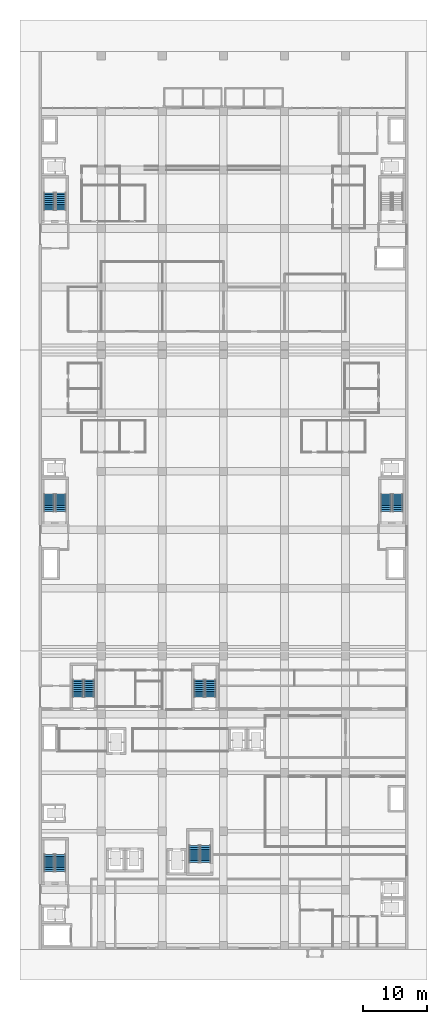
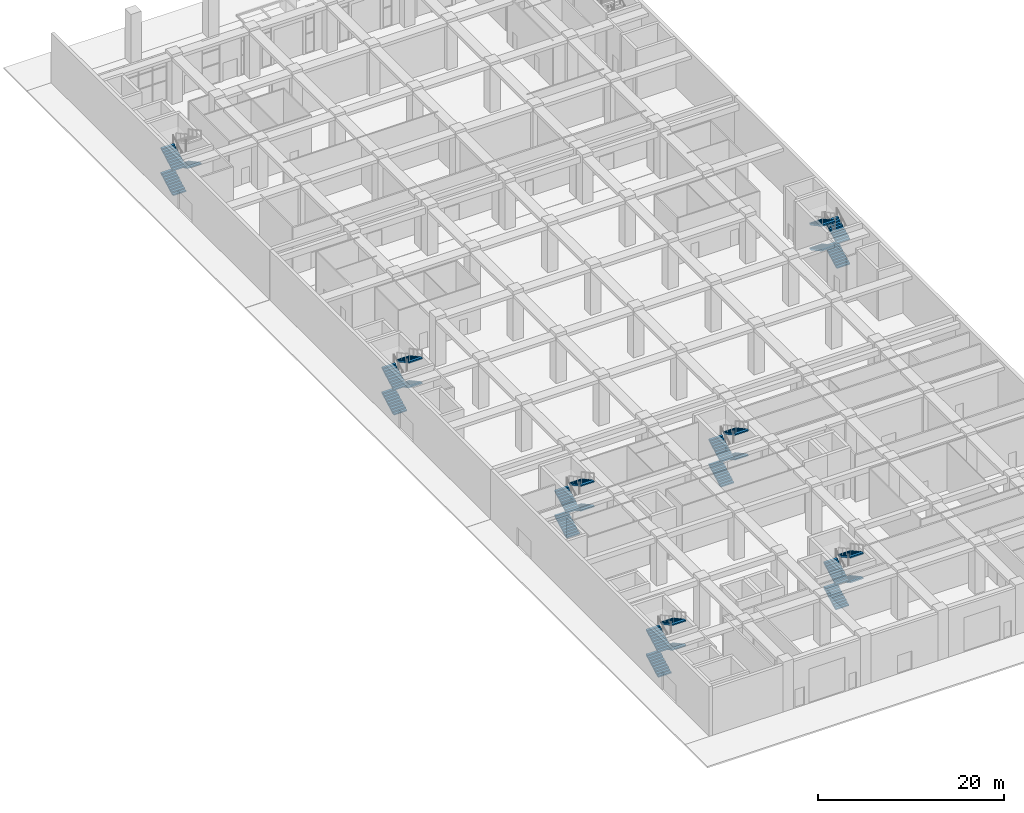
# One storey, part 24 of 45: 27 stair flights, 7 elements without a shape of their own.
"""IFC4 building model written with IfcOpenShell, lengths in metres."""

from ifc_helpers import new_model, si_unit, direction, frame, origin, place, context, subcontext, project, spatial, polyline, outline, extrude, material, type_object, element, aggregate, save


model = new_model("IFC4")

# Units and contexts
model_context = context("Model", 3, precision=1e-05, world=origin(), true_north=direction((0.0, 1.0)))
body_context = subcontext(model_context, "Body", "Model", "MODEL_VIEW")
ifc_project = project(units=[si_unit("LENGTHUNIT", "METRE"), si_unit("AREAUNIT", "SQUARE_METRE"), si_unit("VOLUMEUNIT", "CUBIC_METRE"), si_unit("PLANEANGLEUNIT", "RADIAN"), si_unit("MASSUNIT", "GRAM", prefix="KILO")], contexts=[model_context])

# Site, building, storey
site_placement = place(None, origin())
site = spatial("IfcSite", under=ifc_project, at=site_placement, CompositionType="ELEMENT")
building_placement = place(site_placement, origin())
building = spatial("IfcBuilding", under=site, at=building_placement, Name="Nzadi Deep Aquarium and Research Tower", CompositionType="ELEMENT")
storey_placement = place(building_placement, origin())
storey = spatial("IfcBuildingStorey", under=building, at=storey_placement, Name="G", CompositionType="ELEMENT", Elevation=0.0)

# Stair, stair flights
ifc_material_1 = material(Name="Concrete C35/45", Category="concrete")
stair_type = type_object("IfcStairType", Name="STAIR RETURN 3000", PredefinedType="NOTDEFINED", material=ifc_material_1)
stair_1_placement = place(storey_placement, origin())
stair_1 = element("IfcStair", 1, at=stair_1_placement, inside=storey, type_object=stair_type, Name="Stair ST-Z1-SW G", PredefinedType="DOUBLE_RETURN_STAIR")
ifc_material_2 = material(Name="Concrete C35/45", Category="concrete")
stair_flight_type = type_object("IfcStairFlightType", Name="FLIGHT 1625 10 RISERS 162.5", PredefinedType="STRAIGHT", material=ifc_material_2)
stair_flight_1_placement = place(storey_placement, frame((1.41259765625, 12.070068359375, 0.0), z_axis=(0.0, 0.0, 1.0), x_axis=(0.0, 1.0, 0.0)))
stair_flight_1 = element("IfcStairFlight", 2, at=stair_flight_1_placement, type_object=stair_flight_type, Name="ST-Z1-SW flight 1", NumberOfRisers=10, NumberOfTreads=9, PredefinedType="STRAIGHT", RiserHeight=0.1625, TreadLength=0.3, context=body_context, shape_type="SweptSolid", body=[
    extrude(outline(polyline([(0.0, 0.0), (0.0, 0.16259765625), (0.300048828125, 0.16259765625), (0.300048828125, 0.324951171875), (0.60009765625, 0.324951171875), (0.60009765625, 0.487548828125), (0.89990234375, 0.487548828125), (0.89990234375, 0.64990234375), (1.199951171875, 0.64990234375), (1.199951171875, 0.8125), (1.5, 0.8125), (1.5, 0.97509765625), (1.800048828125, 0.97509765625), (1.800048828125, 1.137451171875), (2.10009765625, 1.137451171875), (2.10009765625, 1.300048828125), (2.39990234375, 1.300048828125), (2.39990234375, 1.46240234375), (2.699951171875, 1.46240234375), (2.699951171875, 1.625), (2.699951171875, 1.2919921875), (0.314697265625, 0.0), (0.0, 0.0)])), frame((0.0, 0.8125, 0.0), z_axis=(0.0, -1.0, 0.0), x_axis=(1.0, 0.0, 0.0)), (0.0, 0.0, 1.0), 1.625),
])
stair_flight_2_placement = place(storey_placement, frame((3.1875, 14.77001953125, 1.625), z_axis=(0.0, 0.0, 1.0), x_axis=(0.0, -1.0, 0.0)))
stair_flight_2 = element("IfcStairFlight", 3, at=stair_flight_2_placement, type_object=stair_flight_type, Name="ST-Z1-SW flight 2", NumberOfRisers=10, NumberOfTreads=9, PredefinedType="STRAIGHT", RiserHeight=0.1625, TreadLength=0.3, context=body_context, shape_type="SweptSolid", body=[
    extrude(outline(polyline([(0.0, 0.0), (0.0, 0.16259765625), (0.300048828125, 0.16259765625), (0.300048828125, 0.324951171875), (0.60009765625, 0.324951171875), (0.60009765625, 0.487548828125), (0.89990234375, 0.487548828125), (0.89990234375, 0.64990234375), (1.199951171875, 0.64990234375), (1.199951171875, 0.8125), (1.5, 0.8125), (1.5, 0.97509765625), (1.800048828125, 0.97509765625), (1.800048828125, 1.137451171875), (2.10009765625, 1.137451171875), (2.10009765625, 1.300048828125), (2.39990234375, 1.300048828125), (2.39990234375, 1.46240234375), (2.699951171875, 1.46240234375), (2.699951171875, 1.625), (2.699951171875, 1.2919921875), (0.314697265625, 0.0), (0.0, 0.0)])), frame((0.0, 0.8125, 0.0), z_axis=(0.0, -1.0, 0.0), x_axis=(1.0, 0.0, 0.0)), (0.0, 0.0, 1.0), 1.625),
])
stair_flight_3_placement = place(storey_placement, frame((1.41259765625, 12.070068359375, 3.25), z_axis=(0.0, 0.0, 1.0), x_axis=(0.0, 1.0, 0.0)))
stair_flight_3 = element("IfcStairFlight", 4, at=stair_flight_3_placement, type_object=stair_flight_type, Name="ST-Z1-SW flight 3", NumberOfRisers=10, NumberOfTreads=9, PredefinedType="STRAIGHT", RiserHeight=0.1625, TreadLength=0.3, context=body_context, shape_type="SweptSolid", body=[
    extrude(outline(polyline([(0.0, 0.0), (0.0, 0.16259765625), (0.300048828125, 0.16259765625), (0.300048828125, 0.324951171875), (0.60009765625, 0.324951171875), (0.60009765625, 0.487548828125), (0.89990234375, 0.487548828125), (0.89990234375, 0.64990234375), (1.199951171875, 0.64990234375), (1.199951171875, 0.8125), (1.5, 0.8125), (1.5, 0.97509765625), (1.800048828125, 0.97509765625), (1.800048828125, 1.137451171875), (2.10009765625, 1.137451171875), (2.10009765625, 1.300048828125), (2.39990234375, 1.300048828125), (2.39990234375, 1.46240234375), (2.699951171875, 1.46240234375), (2.699951171875, 1.625), (2.699951171875, 1.2919921875), (0.314697265625, 0.0), (0.0, 0.0)])), frame((0.0, 0.8125, 0.0), z_axis=(0.0, -1.0, 0.0), x_axis=(1.0, 0.0, 0.0)), (0.0, 0.0, 1.0), 1.625),
])
stair_flight_4_placement = place(storey_placement, frame((3.1875, 14.77001953125, 4.875), z_axis=(0.0, 0.0, 1.0), x_axis=(0.0, -1.0, 0.0)))
stair_flight_4 = element("IfcStairFlight", 5, at=stair_flight_4_placement, type_object=stair_flight_type, Name="ST-Z1-SW flight 4", NumberOfRisers=10, NumberOfTreads=9, PredefinedType="STRAIGHT", RiserHeight=0.1625, TreadLength=0.3, context=body_context, shape_type="SweptSolid", body=[
    extrude(outline(polyline([(0.0, 0.0), (0.0, 0.16259765625), (0.300048828125, 0.16259765625), (0.300048828125, 0.324951171875), (0.60009765625, 0.324951171875), (0.60009765625, 0.487548828125), (0.89990234375, 0.487548828125), (0.89990234375, 0.64990234375), (1.199951171875, 0.64990234375), (1.199951171875, 0.8125), (1.5, 0.8125), (1.5, 0.97509765625), (1.800048828125, 0.97509765625), (1.800048828125, 1.137451171875), (2.10009765625, 1.137451171875), (2.10009765625, 1.300048828125), (2.39990234375, 1.300048828125), (2.39990234375, 1.46240234375), (2.699951171875, 1.46240234375), (2.699951171875, 1.625), (2.699951171875, 1.2919921875), (0.314697265625, 0.0), (0.0, 0.0)])), frame((0.0, 0.8125, 0.0), z_axis=(0.0, -1.0, 0.0), x_axis=(1.0, 0.0, 0.0)), (0.0, 0.0, 1.0), 1.625),
])
aggregate(stair_1, [stair_flight_1, stair_flight_2, stair_flight_3, stair_flight_4])

stair_2_placement = place(storey_placement, origin())
stair_2 = element("IfcStair", 6, at=stair_2_placement, inside=storey, type_object=stair_type, Name="Stair ST-Z1-SE G", PredefinedType="DOUBLE_RETURN_STAIR")
stair_flight_5_placement = place(storey_placement, frame((24.21240234375, 13.469970703125, 0.0), z_axis=(0.0, 0.0, 1.0), x_axis=(0.0, 1.0, 0.0)))
stair_flight_5 = element("IfcStairFlight", 7, at=stair_flight_5_placement, type_object=stair_flight_type, Name="ST-Z1-SE flight 1", NumberOfRisers=10, NumberOfTreads=9, PredefinedType="STRAIGHT", RiserHeight=0.1625, TreadLength=0.3, context=body_context, shape_type="SweptSolid", body=[
    extrude(outline(polyline([(0.0, 0.0), (0.0, 0.16259765625), (0.300048828125, 0.16259765625), (0.300048828125, 0.324951171875), (0.60009765625, 0.324951171875), (0.60009765625, 0.487548828125), (0.89990234375, 0.487548828125), (0.89990234375, 0.64990234375), (1.199951171875, 0.64990234375), (1.199951171875, 0.8125), (1.5, 0.8125), (1.5, 0.97509765625), (1.800048828125, 0.97509765625), (1.800048828125, 1.137451171875), (2.10009765625, 1.137451171875), (2.10009765625, 1.300048828125), (2.39990234375, 1.300048828125), (2.39990234375, 1.46240234375), (2.699951171875, 1.46240234375), (2.699951171875, 1.625), (2.699951171875, 1.2919921875), (0.314697265625, 0.0), (0.0, 0.0)])), frame((0.0, 0.8125, 0.0), z_axis=(0.0, -1.0, 0.0), x_axis=(1.0, 0.0, 0.0)), (0.0, 0.0, 1.0), 1.625),
])
stair_flight_6_placement = place(storey_placement, frame((25.987548828125, 16.169921875, 1.625), z_axis=(0.0, 0.0, 1.0), x_axis=(0.0, -1.0, 0.0)))
stair_flight_6 = element("IfcStairFlight", 8, at=stair_flight_6_placement, type_object=stair_flight_type, Name="ST-Z1-SE flight 2", NumberOfRisers=10, NumberOfTreads=9, PredefinedType="STRAIGHT", RiserHeight=0.1625, TreadLength=0.3, context=body_context, shape_type="SweptSolid", body=[
    extrude(outline(polyline([(0.0, 0.0), (0.0, 0.16259765625), (0.300048828125, 0.16259765625), (0.300048828125, 0.324951171875), (0.60009765625, 0.324951171875), (0.60009765625, 0.487548828125), (0.89990234375, 0.487548828125), (0.89990234375, 0.64990234375), (1.199951171875, 0.64990234375), (1.199951171875, 0.8125), (1.5, 0.8125), (1.5, 0.97509765625), (1.800048828125, 0.97509765625), (1.800048828125, 1.137451171875), (2.10009765625, 1.137451171875), (2.10009765625, 1.300048828125), (2.39990234375, 1.300048828125), (2.39990234375, 1.46240234375), (2.699951171875, 1.46240234375), (2.699951171875, 1.625), (2.699951171875, 1.2919921875), (0.314697265625, 0.0), (0.0, 0.0)])), frame((0.0, 0.8125, 0.0), z_axis=(0.0, -1.0, 0.0), x_axis=(1.0, 0.0, 0.0)), (0.0, 0.0, 1.0), 1.625),
])
stair_flight_7_placement = place(storey_placement, frame((24.21240234375, 13.469970703125, 3.25), z_axis=(0.0, 0.0, 1.0), x_axis=(0.0, 1.0, 0.0)))
stair_flight_7 = element("IfcStairFlight", 9, at=stair_flight_7_placement, type_object=stair_flight_type, Name="ST-Z1-SE flight 3", NumberOfRisers=10, NumberOfTreads=9, PredefinedType="STRAIGHT", RiserHeight=0.1625, TreadLength=0.3, context=body_context, shape_type="SweptSolid", body=[
    extrude(outline(polyline([(0.0, 0.0), (0.0, 0.16259765625), (0.300048828125, 0.16259765625), (0.300048828125, 0.324951171875), (0.60009765625, 0.324951171875), (0.60009765625, 0.487548828125), (0.89990234375, 0.487548828125), (0.89990234375, 0.64990234375), (1.199951171875, 0.64990234375), (1.199951171875, 0.8125), (1.5, 0.8125), (1.5, 0.97509765625), (1.800048828125, 0.97509765625), (1.800048828125, 1.137451171875), (2.10009765625, 1.137451171875), (2.10009765625, 1.300048828125), (2.39990234375, 1.300048828125), (2.39990234375, 1.46240234375), (2.699951171875, 1.46240234375), (2.699951171875, 1.625), (2.699951171875, 1.2919921875), (0.314697265625, 0.0), (0.0, 0.0)])), frame((0.0, 0.8125, 0.0), z_axis=(0.0, -1.0, 0.0), x_axis=(1.0, 0.0, 0.0)), (0.0, 0.0, 1.0), 1.625),
])
stair_flight_8_placement = place(storey_placement, frame((25.987548828125, 16.169921875, 4.875), z_axis=(0.0, 0.0, 1.0), x_axis=(0.0, -1.0, 0.0)))
stair_flight_8 = element("IfcStairFlight", 10, at=stair_flight_8_placement, type_object=stair_flight_type, Name="ST-Z1-SE flight 4", NumberOfRisers=10, NumberOfTreads=9, PredefinedType="STRAIGHT", RiserHeight=0.1625, TreadLength=0.3, context=body_context, shape_type="SweptSolid", body=[
    extrude(outline(polyline([(0.0, 0.0), (0.0, 0.16259765625), (0.300048828125, 0.16259765625), (0.300048828125, 0.324951171875), (0.60009765625, 0.324951171875), (0.60009765625, 0.487548828125), (0.89990234375, 0.487548828125), (0.89990234375, 0.64990234375), (1.199951171875, 0.64990234375), (1.199951171875, 0.8125), (1.5, 0.8125), (1.5, 0.97509765625), (1.800048828125, 0.97509765625), (1.800048828125, 1.137451171875), (2.10009765625, 1.137451171875), (2.10009765625, 1.300048828125), (2.39990234375, 1.300048828125), (2.39990234375, 1.46240234375), (2.699951171875, 1.46240234375), (2.699951171875, 1.625), (2.699951171875, 1.2919921875), (0.314697265625, 0.0), (0.0, 0.0)])), frame((0.0, 0.8125, 0.0), z_axis=(0.0, -1.0, 0.0), x_axis=(1.0, 0.0, 0.0)), (0.0, 0.0, 1.0), 1.625),
])
aggregate(stair_2, [stair_flight_5, stair_flight_6, stair_flight_7, stair_flight_8])

stair_3_placement = place(storey_placement, origin())
stair_3 = element("IfcStair", 11, at=stair_3_placement, inside=storey, type_object=stair_type, Name="Stair ST-Z1-NW G", PredefinedType="DOUBLE_RETURN_STAIR")
stair_flight_9_placement = place(storey_placement, frame((5.91259765625, 39.52001953125, 0.0), z_axis=(0.0, 0.0, 1.0), x_axis=(0.0, 1.0, 0.0)))
stair_flight_9 = element("IfcStairFlight", 12, at=stair_flight_9_placement, type_object=stair_flight_type, Name="ST-Z1-NW flight 1", NumberOfRisers=10, NumberOfTreads=9, PredefinedType="STRAIGHT", RiserHeight=0.1625, TreadLength=0.3, context=body_context, shape_type="SweptSolid", body=[
    extrude(outline(polyline([(0.0, 0.0), (0.0, 0.16259765625), (0.300048828125, 0.16259765625), (0.300048828125, 0.324951171875), (0.60009765625, 0.324951171875), (0.60009765625, 0.487548828125), (0.89990234375, 0.487548828125), (0.89990234375, 0.64990234375), (1.199951171875, 0.64990234375), (1.199951171875, 0.8125), (1.5, 0.8125), (1.5, 0.97509765625), (1.800048828125, 0.97509765625), (1.800048828125, 1.137451171875), (2.10009765625, 1.137451171875), (2.10009765625, 1.300048828125), (2.39990234375, 1.300048828125), (2.39990234375, 1.46240234375), (2.699951171875, 1.46240234375), (2.699951171875, 1.625), (2.699951171875, 1.2919921875), (0.314697265625, 0.0), (0.0, 0.0)])), frame((0.0, 0.8125, 0.0), z_axis=(0.0, -1.0, 0.0), x_axis=(1.0, 0.0, 0.0)), (0.0, 0.0, 1.0), 1.625),
])
stair_flight_10_placement = place(storey_placement, frame((7.6875, 42.219970703125, 1.625), z_axis=(0.0, 0.0, 1.0), x_axis=(0.0, -1.0, 0.0)))
stair_flight_10 = element("IfcStairFlight", 13, at=stair_flight_10_placement, type_object=stair_flight_type, Name="ST-Z1-NW flight 2", NumberOfRisers=10, NumberOfTreads=9, PredefinedType="STRAIGHT", RiserHeight=0.1625, TreadLength=0.3, context=body_context, shape_type="SweptSolid", body=[
    extrude(outline(polyline([(0.0, 0.0), (0.0, 0.16259765625), (0.300048828125, 0.16259765625), (0.300048828125, 0.324951171875), (0.60009765625, 0.324951171875), (0.60009765625, 0.487548828125), (0.89990234375, 0.487548828125), (0.89990234375, 0.64990234375), (1.199951171875, 0.64990234375), (1.199951171875, 0.8125), (1.5, 0.8125), (1.5, 0.97509765625), (1.800048828125, 0.97509765625), (1.800048828125, 1.137451171875), (2.10009765625, 1.137451171875), (2.10009765625, 1.300048828125), (2.39990234375, 1.300048828125), (2.39990234375, 1.46240234375), (2.699951171875, 1.46240234375), (2.699951171875, 1.625), (2.699951171875, 1.2919921875), (0.314697265625, 0.0), (0.0, 0.0)])), frame((0.0, 0.8125, 0.0), z_axis=(0.0, -1.0, 0.0), x_axis=(1.0, 0.0, 0.0)), (0.0, 0.0, 1.0), 1.625),
])
stair_flight_11_placement = place(storey_placement, frame((5.91259765625, 39.52001953125, 3.25), z_axis=(0.0, 0.0, 1.0), x_axis=(0.0, 1.0, 0.0)))
stair_flight_11 = element("IfcStairFlight", 14, at=stair_flight_11_placement, type_object=stair_flight_type, Name="ST-Z1-NW flight 3", NumberOfRisers=10, NumberOfTreads=9, PredefinedType="STRAIGHT", RiserHeight=0.1625, TreadLength=0.3, context=body_context, shape_type="SweptSolid", body=[
    extrude(outline(polyline([(0.0, 0.0), (0.0, 0.16259765625), (0.300048828125, 0.16259765625), (0.300048828125, 0.324951171875), (0.60009765625, 0.324951171875), (0.60009765625, 0.487548828125), (0.89990234375, 0.487548828125), (0.89990234375, 0.64990234375), (1.199951171875, 0.64990234375), (1.199951171875, 0.8125), (1.5, 0.8125), (1.5, 0.97509765625), (1.800048828125, 0.97509765625), (1.800048828125, 1.137451171875), (2.10009765625, 1.137451171875), (2.10009765625, 1.300048828125), (2.39990234375, 1.300048828125), (2.39990234375, 1.46240234375), (2.699951171875, 1.46240234375), (2.699951171875, 1.625), (2.699951171875, 1.2919921875), (0.314697265625, 0.0), (0.0, 0.0)])), frame((0.0, 0.8125, 0.0), z_axis=(0.0, -1.0, 0.0), x_axis=(1.0, 0.0, 0.0)), (0.0, 0.0, 1.0), 1.625),
])
stair_flight_12_placement = place(storey_placement, frame((7.6875, 42.219970703125, 4.875), z_axis=(0.0, 0.0, 1.0), x_axis=(0.0, -1.0, 0.0)))
stair_flight_12 = element("IfcStairFlight", 15, at=stair_flight_12_placement, type_object=stair_flight_type, Name="ST-Z1-NW flight 4", NumberOfRisers=10, NumberOfTreads=9, PredefinedType="STRAIGHT", RiserHeight=0.1625, TreadLength=0.3, context=body_context, shape_type="SweptSolid", body=[
    extrude(outline(polyline([(0.0, 0.0), (0.0, 0.16259765625), (0.300048828125, 0.16259765625), (0.300048828125, 0.324951171875), (0.60009765625, 0.324951171875), (0.60009765625, 0.487548828125), (0.89990234375, 0.487548828125), (0.89990234375, 0.64990234375), (1.199951171875, 0.64990234375), (1.199951171875, 0.8125), (1.5, 0.8125), (1.5, 0.97509765625), (1.800048828125, 0.97509765625), (1.800048828125, 1.137451171875), (2.10009765625, 1.137451171875), (2.10009765625, 1.300048828125), (2.39990234375, 1.300048828125), (2.39990234375, 1.46240234375), (2.699951171875, 1.46240234375), (2.699951171875, 1.625), (2.699951171875, 1.2919921875), (0.314697265625, 0.0), (0.0, 0.0)])), frame((0.0, 0.8125, 0.0), z_axis=(0.0, -1.0, 0.0), x_axis=(1.0, 0.0, 0.0)), (0.0, 0.0, 1.0), 1.625),
])
aggregate(stair_3, [stair_flight_9, stair_flight_10, stair_flight_11, stair_flight_12])

stair_4_placement = place(storey_placement, origin())
stair_4 = element("IfcStair", 16, at=stair_4_placement, inside=storey, type_object=stair_type, Name="Stair ST-Z1-NE G", PredefinedType="DOUBLE_RETURN_STAIR")
stair_flight_13_placement = place(storey_placement, frame((25.012451171875, 39.52001953125, 0.0), z_axis=(0.0, 0.0, 1.0), x_axis=(0.0, 1.0, 0.0)))
stair_flight_13 = element("IfcStairFlight", 17, at=stair_flight_13_placement, type_object=stair_flight_type, Name="ST-Z1-NE flight 1", NumberOfRisers=10, NumberOfTreads=9, PredefinedType="STRAIGHT", RiserHeight=0.1625, TreadLength=0.3, context=body_context, shape_type="SweptSolid", body=[
    extrude(outline(polyline([(0.0, 0.0), (0.0, 0.16259765625), (0.300048828125, 0.16259765625), (0.300048828125, 0.324951171875), (0.60009765625, 0.324951171875), (0.60009765625, 0.487548828125), (0.89990234375, 0.487548828125), (0.89990234375, 0.64990234375), (1.199951171875, 0.64990234375), (1.199951171875, 0.8125), (1.5, 0.8125), (1.5, 0.97509765625), (1.800048828125, 0.97509765625), (1.800048828125, 1.137451171875), (2.10009765625, 1.137451171875), (2.10009765625, 1.300048828125), (2.39990234375, 1.300048828125), (2.39990234375, 1.46240234375), (2.699951171875, 1.46240234375), (2.699951171875, 1.625), (2.699951171875, 1.2919921875), (0.314697265625, 0.0), (0.0, 0.0)])), frame((0.0, 0.8125, 0.0), z_axis=(0.0, -1.0, 0.0), x_axis=(1.0, 0.0, 0.0)), (0.0, 0.0, 1.0), 1.625),
])
stair_flight_14_placement = place(storey_placement, frame((26.78759765625, 42.219970703125, 1.625), z_axis=(0.0, 0.0, 1.0), x_axis=(0.0, -1.0, 0.0)))
stair_flight_14 = element("IfcStairFlight", 18, at=stair_flight_14_placement, type_object=stair_flight_type, Name="ST-Z1-NE flight 2", NumberOfRisers=10, NumberOfTreads=9, PredefinedType="STRAIGHT", RiserHeight=0.1625, TreadLength=0.3, context=body_context, shape_type="SweptSolid", body=[
    extrude(outline(polyline([(0.0, 0.0), (0.0, 0.16259765625), (0.300048828125, 0.16259765625), (0.300048828125, 0.324951171875), (0.60009765625, 0.324951171875), (0.60009765625, 0.487548828125), (0.89990234375, 0.487548828125), (0.89990234375, 0.64990234375), (1.199951171875, 0.64990234375), (1.199951171875, 0.8125), (1.5, 0.8125), (1.5, 0.97509765625), (1.800048828125, 0.97509765625), (1.800048828125, 1.137451171875), (2.10009765625, 1.137451171875), (2.10009765625, 1.300048828125), (2.39990234375, 1.300048828125), (2.39990234375, 1.46240234375), (2.699951171875, 1.46240234375), (2.699951171875, 1.625), (2.699951171875, 1.2919921875), (0.314697265625, 0.0), (0.0, 0.0)])), frame((0.0, 0.8125, 0.0), z_axis=(0.0, -1.0, 0.0), x_axis=(1.0, 0.0, 0.0)), (0.0, 0.0, 1.0), 1.625),
])
stair_flight_15_placement = place(storey_placement, frame((25.012451171875, 39.52001953125, 3.25), z_axis=(0.0, 0.0, 1.0), x_axis=(0.0, 1.0, 0.0)))
stair_flight_15 = element("IfcStairFlight", 19, at=stair_flight_15_placement, type_object=stair_flight_type, Name="ST-Z1-NE flight 3", NumberOfRisers=10, NumberOfTreads=9, PredefinedType="STRAIGHT", RiserHeight=0.1625, TreadLength=0.3, context=body_context, shape_type="SweptSolid", body=[
    extrude(outline(polyline([(0.0, 0.0), (0.0, 0.16259765625), (0.300048828125, 0.16259765625), (0.300048828125, 0.324951171875), (0.60009765625, 0.324951171875), (0.60009765625, 0.487548828125), (0.89990234375, 0.487548828125), (0.89990234375, 0.64990234375), (1.199951171875, 0.64990234375), (1.199951171875, 0.8125), (1.5, 0.8125), (1.5, 0.97509765625), (1.800048828125, 0.97509765625), (1.800048828125, 1.137451171875), (2.10009765625, 1.137451171875), (2.10009765625, 1.300048828125), (2.39990234375, 1.300048828125), (2.39990234375, 1.46240234375), (2.699951171875, 1.46240234375), (2.699951171875, 1.625), (2.699951171875, 1.2919921875), (0.314697265625, 0.0), (0.0, 0.0)])), frame((0.0, 0.8125, 0.0), z_axis=(0.0, -1.0, 0.0), x_axis=(1.0, 0.0, 0.0)), (0.0, 0.0, 1.0), 1.625),
])
stair_flight_16_placement = place(storey_placement, frame((26.78759765625, 42.219970703125, 4.875), z_axis=(0.0, 0.0, 1.0), x_axis=(0.0, -1.0, 0.0)))
stair_flight_16 = element("IfcStairFlight", 20, at=stair_flight_16_placement, type_object=stair_flight_type, Name="ST-Z1-NE flight 4", NumberOfRisers=10, NumberOfTreads=9, PredefinedType="STRAIGHT", RiserHeight=0.1625, TreadLength=0.3, context=body_context, shape_type="SweptSolid", body=[
    extrude(outline(polyline([(0.0, 0.0), (0.0, 0.16259765625), (0.300048828125, 0.16259765625), (0.300048828125, 0.324951171875), (0.60009765625, 0.324951171875), (0.60009765625, 0.487548828125), (0.89990234375, 0.487548828125), (0.89990234375, 0.64990234375), (1.199951171875, 0.64990234375), (1.199951171875, 0.8125), (1.5, 0.8125), (1.5, 0.97509765625), (1.800048828125, 0.97509765625), (1.800048828125, 1.137451171875), (2.10009765625, 1.137451171875), (2.10009765625, 1.300048828125), (2.39990234375, 1.300048828125), (2.39990234375, 1.46240234375), (2.699951171875, 1.46240234375), (2.699951171875, 1.625), (2.699951171875, 1.2919921875), (0.314697265625, 0.0), (0.0, 0.0)])), frame((0.0, 0.8125, 0.0), z_axis=(0.0, -1.0, 0.0), x_axis=(1.0, 0.0, 0.0)), (0.0, 0.0, 1.0), 1.625),
])
aggregate(stair_4, [stair_flight_13, stair_flight_14, stair_flight_15, stair_flight_16])

stair_5_placement = place(storey_placement, origin())
stair_5 = element("IfcStair", 21, at=stair_5_placement, inside=storey, type_object=stair_type, Name="Stair ST-Z2-W G", PredefinedType="DOUBLE_RETURN_STAIR")
stair_flight_17_placement = place(storey_placement, frame((1.362548828125, 68.7099609375, 0.0), z_axis=(0.0, 0.0, 1.0), x_axis=(0.0, 1.0, 0.0)))
stair_flight_17 = element("IfcStairFlight", 22, at=stair_flight_17_placement, type_object=stair_flight_type, Name="ST-Z2-W flight 1", NumberOfRisers=10, NumberOfTreads=9, PredefinedType="STRAIGHT", RiserHeight=0.1625, TreadLength=0.3, context=body_context, shape_type="SweptSolid", body=[
    extrude(outline(polyline([(0.0, 0.0), (0.0, 0.16259765625), (0.300048828125, 0.16259765625), (0.300048828125, 0.324951171875), (0.60009765625, 0.324951171875), (0.60009765625, 0.487548828125), (0.89990234375, 0.487548828125), (0.89990234375, 0.64990234375), (1.199951171875, 0.64990234375), (1.199951171875, 0.8125), (1.5, 0.8125), (1.5, 0.97509765625), (1.800048828125, 0.97509765625), (1.800048828125, 1.137451171875), (2.10009765625, 1.137451171875), (2.10009765625, 1.300048828125), (2.39990234375, 1.300048828125), (2.39990234375, 1.46240234375), (2.699951171875, 1.46240234375), (2.699951171875, 1.625), (2.699951171875, 1.2919921875), (0.314697265625, 0.0), (0.0, 0.0)])), frame((0.0, 0.8125, 0.0), z_axis=(0.0, -1.0, 0.0), x_axis=(1.0, 0.0, 0.0)), (0.0, 0.0, 1.0), 1.625),
])
stair_flight_18_placement = place(storey_placement, frame((3.237548828125, 71.409912109375, 1.625), z_axis=(0.0, 0.0, 1.0), x_axis=(0.0, -1.0, 0.0)))
stair_flight_18 = element("IfcStairFlight", 23, at=stair_flight_18_placement, type_object=stair_flight_type, Name="ST-Z2-W flight 2", NumberOfRisers=10, NumberOfTreads=9, PredefinedType="STRAIGHT", RiserHeight=0.1625, TreadLength=0.3, context=body_context, shape_type="SweptSolid", body=[
    extrude(outline(polyline([(0.0, 0.0), (0.0, 0.16259765625), (0.300048828125, 0.16259765625), (0.300048828125, 0.324951171875), (0.60009765625, 0.324951171875), (0.60009765625, 0.487548828125), (0.89990234375, 0.487548828125), (0.89990234375, 0.64990234375), (1.199951171875, 0.64990234375), (1.199951171875, 0.8125), (1.5, 0.8125), (1.5, 0.97509765625), (1.800048828125, 0.97509765625), (1.800048828125, 1.137451171875), (2.10009765625, 1.137451171875), (2.10009765625, 1.300048828125), (2.39990234375, 1.300048828125), (2.39990234375, 1.46240234375), (2.699951171875, 1.46240234375), (2.699951171875, 1.625), (2.699951171875, 1.2919921875), (0.314697265625, 0.0), (0.0, 0.0)])), frame((0.0, 0.8125, 0.0), z_axis=(0.0, -1.0, 0.0), x_axis=(1.0, 0.0, 0.0)), (0.0, 0.0, 1.0), 1.625),
])
stair_flight_19_placement = place(storey_placement, frame((1.362548828125, 68.7099609375, 3.25), z_axis=(0.0, 0.0, 1.0), x_axis=(0.0, 1.0, 0.0)))
stair_flight_19 = element("IfcStairFlight", 24, at=stair_flight_19_placement, type_object=stair_flight_type, Name="ST-Z2-W flight 3", NumberOfRisers=10, NumberOfTreads=9, PredefinedType="STRAIGHT", RiserHeight=0.1625, TreadLength=0.3, context=body_context, shape_type="SweptSolid", body=[
    extrude(outline(polyline([(0.0, 0.0), (0.0, 0.16259765625), (0.300048828125, 0.16259765625), (0.300048828125, 0.324951171875), (0.60009765625, 0.324951171875), (0.60009765625, 0.487548828125), (0.89990234375, 0.487548828125), (0.89990234375, 0.64990234375), (1.199951171875, 0.64990234375), (1.199951171875, 0.8125), (1.5, 0.8125), (1.5, 0.97509765625), (1.800048828125, 0.97509765625), (1.800048828125, 1.137451171875), (2.10009765625, 1.137451171875), (2.10009765625, 1.300048828125), (2.39990234375, 1.300048828125), (2.39990234375, 1.46240234375), (2.699951171875, 1.46240234375), (2.699951171875, 1.625), (2.699951171875, 1.2919921875), (0.314697265625, 0.0), (0.0, 0.0)])), frame((0.0, 0.8125, 0.0), z_axis=(0.0, -1.0, 0.0), x_axis=(1.0, 0.0, 0.0)), (0.0, 0.0, 1.0), 1.625),
])
stair_flight_20_placement = place(storey_placement, frame((3.237548828125, 71.409912109375, 4.875), z_axis=(0.0, 0.0, 1.0), x_axis=(0.0, -1.0, 0.0)))
stair_flight_20 = element("IfcStairFlight", 25, at=stair_flight_20_placement, type_object=stair_flight_type, Name="ST-Z2-W flight 4", NumberOfRisers=10, NumberOfTreads=9, PredefinedType="STRAIGHT", RiserHeight=0.1625, TreadLength=0.3, context=body_context, shape_type="SweptSolid", body=[
    extrude(outline(polyline([(0.0, 0.0), (0.0, 0.16259765625), (0.300048828125, 0.16259765625), (0.300048828125, 0.324951171875), (0.60009765625, 0.324951171875), (0.60009765625, 0.487548828125), (0.89990234375, 0.487548828125), (0.89990234375, 0.64990234375), (1.199951171875, 0.64990234375), (1.199951171875, 0.8125), (1.5, 0.8125), (1.5, 0.97509765625), (1.800048828125, 0.97509765625), (1.800048828125, 1.137451171875), (2.10009765625, 1.137451171875), (2.10009765625, 1.300048828125), (2.39990234375, 1.300048828125), (2.39990234375, 1.46240234375), (2.699951171875, 1.46240234375), (2.699951171875, 1.625), (2.699951171875, 1.2919921875), (0.314697265625, 0.0), (0.0, 0.0)])), frame((0.0, 0.8125, 0.0), z_axis=(0.0, -1.0, 0.0), x_axis=(1.0, 0.0, 0.0)), (0.0, 0.0, 1.0), 1.625),
])
aggregate(stair_5, [stair_flight_17, stair_flight_18, stair_flight_19, stair_flight_20])

stair_6_placement = place(storey_placement, origin())
stair_6 = element("IfcStair", 26, at=stair_6_placement, inside=storey, type_object=stair_type, Name="Stair ST-Z2-E G", PredefinedType="DOUBLE_RETURN_STAIR")
stair_flight_21_placement = place(storey_placement, frame((56.237548828125, 68.7099609375, 0.0), z_axis=(0.0, 0.0, 1.0), x_axis=(0.0, 1.0, 0.0)))
stair_flight_21 = element("IfcStairFlight", 27, at=stair_flight_21_placement, type_object=stair_flight_type, Name="ST-Z2-E flight 1", NumberOfRisers=10, NumberOfTreads=9, PredefinedType="STRAIGHT", RiserHeight=0.1625, TreadLength=0.3, context=body_context, shape_type="SweptSolid", body=[
    extrude(outline(polyline([(0.0, 0.0), (0.0, 0.16259765625), (0.300048828125, 0.16259765625), (0.300048828125, 0.324951171875), (0.60009765625, 0.324951171875), (0.60009765625, 0.487548828125), (0.89990234375, 0.487548828125), (0.89990234375, 0.64990234375), (1.199951171875, 0.64990234375), (1.199951171875, 0.8125), (1.5, 0.8125), (1.5, 0.97509765625), (1.800048828125, 0.97509765625), (1.800048828125, 1.137451171875), (2.10009765625, 1.137451171875), (2.10009765625, 1.300048828125), (2.39990234375, 1.300048828125), (2.39990234375, 1.46240234375), (2.699951171875, 1.46240234375), (2.699951171875, 1.625), (2.699951171875, 1.2919921875), (0.314697265625, 0.0), (0.0, 0.0)])), frame((0.0, 0.8125, 0.0), z_axis=(0.0, -1.0, 0.0), x_axis=(1.0, 0.0, 0.0)), (0.0, 0.0, 1.0), 1.625),
])
stair_flight_22_placement = place(storey_placement, frame((54.362548828125, 71.409912109375, 1.625), z_axis=(0.0, 0.0, 1.0), x_axis=(0.0, -1.0, 0.0)))
stair_flight_22 = element("IfcStairFlight", 28, at=stair_flight_22_placement, type_object=stair_flight_type, Name="ST-Z2-E flight 2", NumberOfRisers=10, NumberOfTreads=9, PredefinedType="STRAIGHT", RiserHeight=0.1625, TreadLength=0.3, context=body_context, shape_type="SweptSolid", body=[
    extrude(outline(polyline([(0.0, 0.0), (0.0, 0.16259765625), (0.300048828125, 0.16259765625), (0.300048828125, 0.324951171875), (0.60009765625, 0.324951171875), (0.60009765625, 0.487548828125), (0.89990234375, 0.487548828125), (0.89990234375, 0.64990234375), (1.199951171875, 0.64990234375), (1.199951171875, 0.8125), (1.5, 0.8125), (1.5, 0.97509765625), (1.800048828125, 0.97509765625), (1.800048828125, 1.137451171875), (2.10009765625, 1.137451171875), (2.10009765625, 1.300048828125), (2.39990234375, 1.300048828125), (2.39990234375, 1.46240234375), (2.699951171875, 1.46240234375), (2.699951171875, 1.625), (2.699951171875, 1.2919921875), (0.314697265625, 0.0), (0.0, 0.0)])), frame((0.0, 0.8125, 0.0), z_axis=(0.0, -1.0, 0.0), x_axis=(1.0, 0.0, 0.0)), (0.0, 0.0, 1.0), 1.625),
])
stair_flight_23_placement = place(storey_placement, frame((56.237548828125, 68.7099609375, 3.25), z_axis=(0.0, 0.0, 1.0), x_axis=(0.0, 1.0, 0.0)))
stair_flight_23 = element("IfcStairFlight", 29, at=stair_flight_23_placement, type_object=stair_flight_type, Name="ST-Z2-E flight 3", NumberOfRisers=10, NumberOfTreads=9, PredefinedType="STRAIGHT", RiserHeight=0.1625, TreadLength=0.3, context=body_context, shape_type="SweptSolid", body=[
    extrude(outline(polyline([(0.0, 0.0), (0.0, 0.16259765625), (0.300048828125, 0.16259765625), (0.300048828125, 0.324951171875), (0.60009765625, 0.324951171875), (0.60009765625, 0.487548828125), (0.89990234375, 0.487548828125), (0.89990234375, 0.64990234375), (1.199951171875, 0.64990234375), (1.199951171875, 0.8125), (1.5, 0.8125), (1.5, 0.97509765625), (1.800048828125, 0.97509765625), (1.800048828125, 1.137451171875), (2.10009765625, 1.137451171875), (2.10009765625, 1.300048828125), (2.39990234375, 1.300048828125), (2.39990234375, 1.46240234375), (2.699951171875, 1.46240234375), (2.699951171875, 1.625), (2.699951171875, 1.2919921875), (0.314697265625, 0.0), (0.0, 0.0)])), frame((0.0, 0.8125, 0.0), z_axis=(0.0, -1.0, 0.0), x_axis=(1.0, 0.0, 0.0)), (0.0, 0.0, 1.0), 1.625),
])
stair_flight_24_placement = place(storey_placement, frame((54.362548828125, 71.409912109375, 4.875), z_axis=(0.0, 0.0, 1.0), x_axis=(0.0, -1.0, 0.0)))
stair_flight_24 = element("IfcStairFlight", 30, at=stair_flight_24_placement, type_object=stair_flight_type, Name="ST-Z2-E flight 4", NumberOfRisers=10, NumberOfTreads=9, PredefinedType="STRAIGHT", RiserHeight=0.1625, TreadLength=0.3, context=body_context, shape_type="SweptSolid", body=[
    extrude(outline(polyline([(0.0, 0.0), (0.0, 0.16259765625), (0.300048828125, 0.16259765625), (0.300048828125, 0.324951171875), (0.60009765625, 0.324951171875), (0.60009765625, 0.487548828125), (0.89990234375, 0.487548828125), (0.89990234375, 0.64990234375), (1.199951171875, 0.64990234375), (1.199951171875, 0.8125), (1.5, 0.8125), (1.5, 0.97509765625), (1.800048828125, 0.97509765625), (1.800048828125, 1.137451171875), (2.10009765625, 1.137451171875), (2.10009765625, 1.300048828125), (2.39990234375, 1.300048828125), (2.39990234375, 1.46240234375), (2.699951171875, 1.46240234375), (2.699951171875, 1.625), (2.699951171875, 1.2919921875), (0.314697265625, 0.0), (0.0, 0.0)])), frame((0.0, 0.8125, 0.0), z_axis=(0.0, -1.0, 0.0), x_axis=(1.0, 0.0, 0.0)), (0.0, 0.0, 1.0), 1.625),
])
aggregate(stair_6, [stair_flight_21, stair_flight_22, stair_flight_23, stair_flight_24])

stair_7_placement = place(storey_placement, origin())
stair_7 = element("IfcStair", 31, at=stair_7_placement, inside=storey, type_object=stair_type, Name="Stair ST-Z3-W G", PredefinedType="DOUBLE_RETURN_STAIR")
stair_flight_25_placement = place(storey_placement, frame((1.362548828125, 116.110107421875, 0.0), z_axis=(0.0, 0.0, 1.0), x_axis=(0.0, 1.0, 0.0)))
stair_flight_25 = element("IfcStairFlight", 32, at=stair_flight_25_placement, type_object=stair_flight_type, Name="ST-Z3-W flight 1", NumberOfRisers=10, NumberOfTreads=9, PredefinedType="STRAIGHT", RiserHeight=0.1625, TreadLength=0.3, context=body_context, shape_type="SweptSolid", body=[
    extrude(outline(polyline([(0.0, 0.0), (0.0, 0.16259765625), (0.300048828125, 0.16259765625), (0.300048828125, 0.324951171875), (0.60009765625, 0.324951171875), (0.60009765625, 0.487548828125), (0.89990234375, 0.487548828125), (0.89990234375, 0.64990234375), (1.199951171875, 0.64990234375), (1.199951171875, 0.8125), (1.5, 0.8125), (1.5, 0.97509765625), (1.800048828125, 0.97509765625), (1.800048828125, 1.137451171875), (2.10009765625, 1.137451171875), (2.10009765625, 1.300048828125), (2.39990234375, 1.300048828125), (2.39990234375, 1.46240234375), (2.699951171875, 1.46240234375), (2.699951171875, 1.625), (2.699951171875, 1.2919921875), (0.314697265625, 0.0), (0.0, 0.0)])), frame((0.0, 0.8125, 0.0), z_axis=(0.0, -1.0, 0.0), x_axis=(1.0, 0.0, 0.0)), (0.0, 0.0, 1.0), 1.625),
])
stair_flight_26_placement = place(storey_placement, frame((3.237548828125, 118.81005859375, 1.625), z_axis=(0.0, 0.0, 1.0), x_axis=(0.0, -1.0, 0.0)))
stair_flight_26 = element("IfcStairFlight", 33, at=stair_flight_26_placement, type_object=stair_flight_type, Name="ST-Z3-W flight 2", NumberOfRisers=10, NumberOfTreads=9, PredefinedType="STRAIGHT", RiserHeight=0.1625, TreadLength=0.3, context=body_context, shape_type="SweptSolid", body=[
    extrude(outline(polyline([(0.0, 0.0), (0.0, 0.16259765625), (0.300048828125, 0.16259765625), (0.300048828125, 0.324951171875), (0.60009765625, 0.324951171875), (0.60009765625, 0.487548828125), (0.89990234375, 0.487548828125), (0.89990234375, 0.64990234375), (1.199951171875, 0.64990234375), (1.199951171875, 0.8125), (1.5, 0.8125), (1.5, 0.97509765625), (1.800048828125, 0.97509765625), (1.800048828125, 1.137451171875), (2.10009765625, 1.137451171875), (2.10009765625, 1.300048828125), (2.39990234375, 1.300048828125), (2.39990234375, 1.46240234375), (2.699951171875, 1.46240234375), (2.699951171875, 1.625), (2.699951171875, 1.2919921875), (0.314697265625, 0.0), (0.0, 0.0)])), frame((0.0, 0.8125, 0.0), z_axis=(0.0, -1.0, 0.0), x_axis=(1.0, 0.0, 0.0)), (0.0, 0.0, 1.0), 1.625),
])
stair_flight_27_placement = place(storey_placement, frame((1.362548828125, 116.110107421875, 3.25), z_axis=(0.0, 0.0, 1.0), x_axis=(0.0, 1.0, 0.0)))
stair_flight_27 = element("IfcStairFlight", 34, at=stair_flight_27_placement, type_object=stair_flight_type, Name="ST-Z3-W flight 3", NumberOfRisers=10, NumberOfTreads=9, PredefinedType="STRAIGHT", RiserHeight=0.1625, TreadLength=0.3, context=body_context, shape_type="SweptSolid", body=[
    extrude(outline(polyline([(0.0, 0.0), (0.0, 0.16259765625), (0.300048828125, 0.16259765625), (0.300048828125, 0.324951171875), (0.60009765625, 0.324951171875), (0.60009765625, 0.487548828125), (0.89990234375, 0.487548828125), (0.89990234375, 0.64990234375), (1.199951171875, 0.64990234375), (1.199951171875, 0.8125), (1.5, 0.8125), (1.5, 0.97509765625), (1.800048828125, 0.97509765625), (1.800048828125, 1.137451171875), (2.10009765625, 1.137451171875), (2.10009765625, 1.300048828125), (2.39990234375, 1.300048828125), (2.39990234375, 1.46240234375), (2.699951171875, 1.46240234375), (2.699951171875, 1.625), (2.699951171875, 1.2919921875), (0.314697265625, 0.0), (0.0, 0.0)])), frame((0.0, 0.8125, 0.0), z_axis=(0.0, -1.0, 0.0), x_axis=(1.0, 0.0, 0.0)), (0.0, 0.0, 1.0), 1.625),
])
aggregate(stair_7, [stair_flight_25, stair_flight_26, stair_flight_27])

save(model, "model.ifc")
